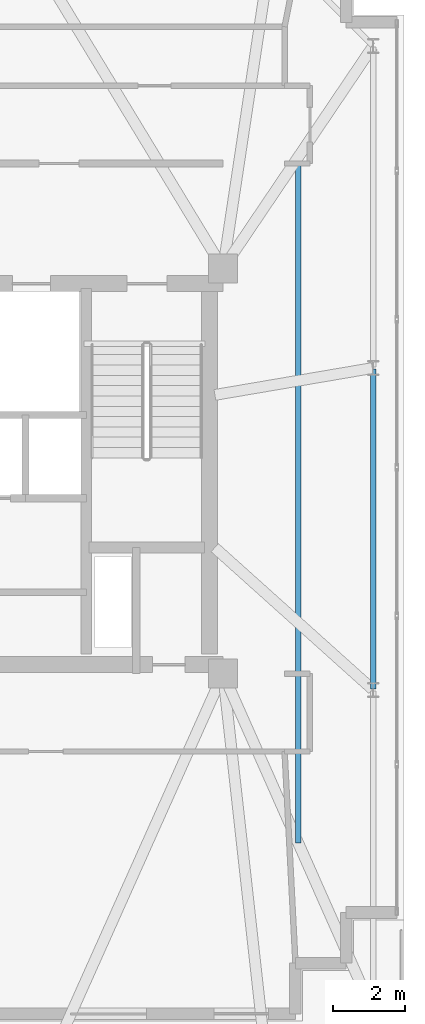
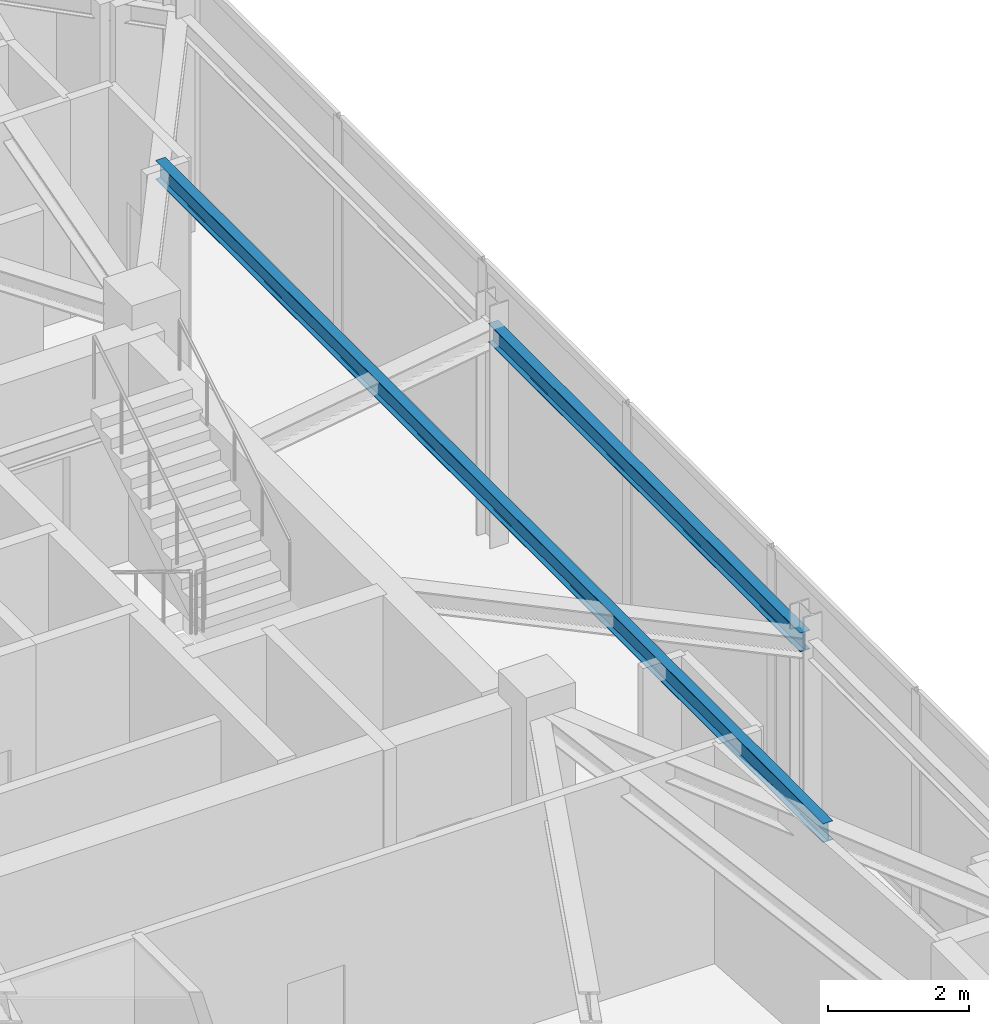
# One storey, part 13 of 24: 2 beams.
"""IFC4 building model written with IfcOpenShell, lengths in metres."""

from ifc_helpers import new_model, si_unit, direction, frame, origin, origin_2d, place, context, subcontext, project, spatial, i_section, extrude, material, material_profile, profile_set, type_object, element, save


model = new_model("IFC4")

# Units and contexts
model_context = context("Model", 3, precision=1e-05, world=origin(), true_north=direction((0.0, 1.0)))
body_context = subcontext(model_context, "Body", "Model", "MODEL_VIEW")
ifc_project = project(units=[si_unit("LENGTHUNIT", "METRE"), si_unit("AREAUNIT", "SQUARE_METRE"), si_unit("VOLUMEUNIT", "CUBIC_METRE"), si_unit("PLANEANGLEUNIT", "RADIAN"), si_unit("MASSUNIT", "GRAM", prefix="KILO")], contexts=[model_context])

# Site, building, storey
site_placement = place(None, origin())
site = spatial("IfcSite", under=ifc_project, at=site_placement, CompositionType="ELEMENT")
building_placement = place(site_placement, origin())
building = spatial("IfcBuilding", under=site, at=building_placement, Name="Qobustan Lattice House", CompositionType="ELEMENT")
storey_placement = place(building_placement, frame((0.0, 0.0, 261.800048828125)))
storey = spatial("IfcBuildingStorey", under=building, at=storey_placement, Name="L74", CompositionType="ELEMENT", Elevation=261.800048828125)

# Beams
ifc_material_1 = material(Name="Steel S355", Category="steel")
ifc_material_profile_1 = material_profile(ifc_material_1, i_section(OverallWidth=0.159912109375, OverallDepth=0.330078125, WebThickness=0.007568359375, FlangeThickness=0.011474609375, FilletRadius=0.01806640625, at=origin_2d()), Name="IPE330")
ifc_profile_set_1 = profile_set([ifc_material_profile_1], Name="Steel S355")
beam_type_1 = type_object("IfcBeamType", Name="BM-SEC-IPE330", PredefinedType="BEAM", material=ifc_profile_set_1)
beam_1_placement = place(storey_placement, frame((20.875, 8.675048828125, 3.614990234375), z_axis=(0.0, -1.0, 0.0), x_axis=(1.0, 0.0, 0.0)))
element("IfcBeam", 1, at=beam_1_placement, inside=storey, type_object=beam_type_1, Name="L74 east wing secondary beam", PredefinedType="BEAM", context=body_context, shape_type="SweptSolid", body=[
    extrude(i_section(OverallWidth=0.159912109375, OverallDepth=0.330078125, WebThickness=0.007568359375, FlangeThickness=0.011474609375, FilletRadius=0.01806640625, at=origin_2d()), origin(), (0.0, 0.0, 1.0), 18.949951171875),
])
ifc_material_2 = material(Name="Steel S355", Category="steel")
ifc_material_profile_2 = material_profile(ifc_material_2, i_section(OverallWidth=0.159912109375, OverallDepth=0.330078125, WebThickness=0.007568359375, FlangeThickness=0.011474609375, FilletRadius=0.01806640625, at=origin_2d()), Name="IPE330")
ifc_profile_set_2 = profile_set([ifc_material_profile_2], Name="Steel S355")
beam_type_2 = type_object("IfcBeamType", Name="BM-SPD-IPE330", PredefinedType="SPANDREL", material=ifc_profile_set_2)
beam_2_placement = place(storey_placement, frame((22.949951171875, -6.02490234375, 3.614990234375), z_axis=(0.0, 1.0, 0.0), x_axis=(-1.0, 0.0, 0.0)))
element("IfcBeam", 2, at=beam_2_placement, inside=storey, type_object=beam_type_2, Name="L74 perimeter spandrel E2-E3", PredefinedType="SPANDREL", context=body_context, shape_type="SweptSolid", body=[
    extrude(i_section(OverallWidth=0.159912109375, OverallDepth=0.330078125, WebThickness=0.007568359375, FlangeThickness=0.011474609375, FilletRadius=0.01806640625, at=origin_2d()), origin(), (0.0, 0.0, 1.0), 8.849853515625),
])

save(model, "model.ifc")
